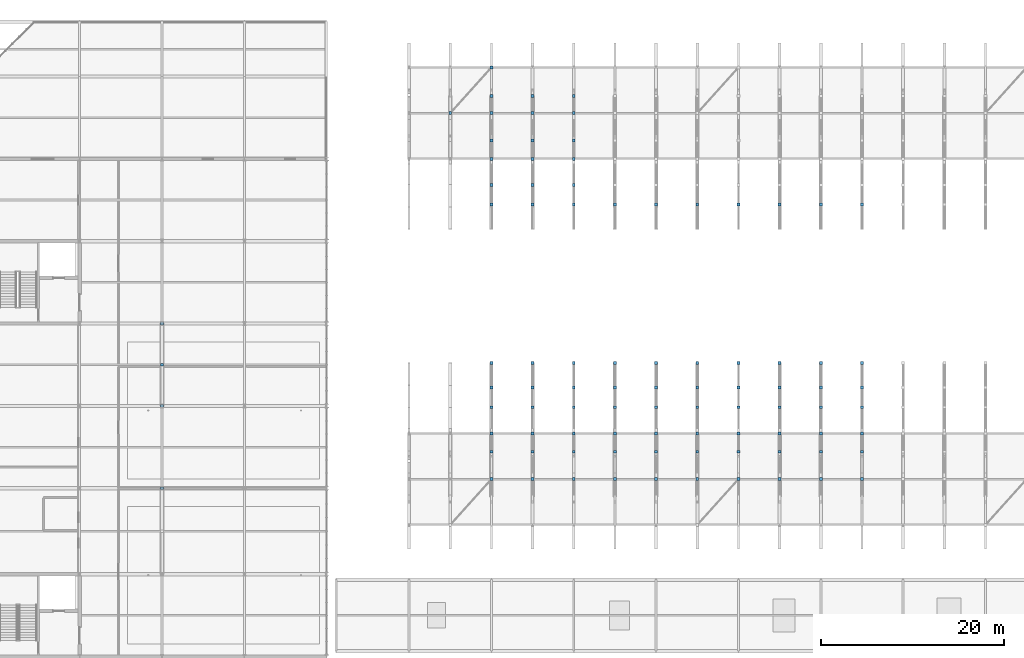
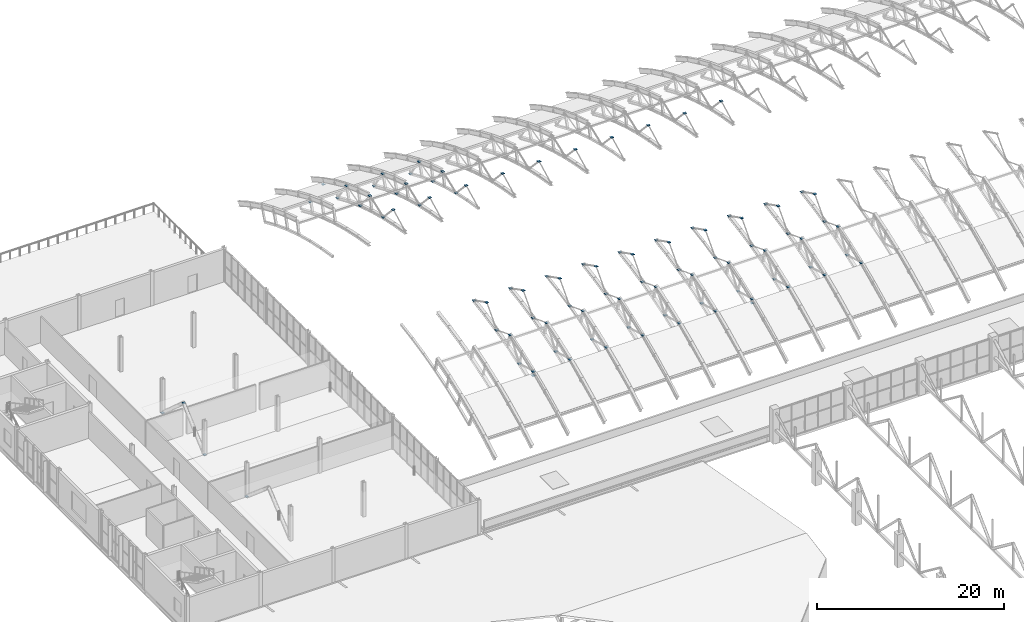
# One storey, part 96 of 103: 93 discrete accessories.
"""IFC4 building model written with IfcOpenShell, lengths in metres."""

import ifcopenshell
import ifcopenshell.guid

model = None  # the IFC model being written
_history = None  # IfcOwnerHistory: only IFC2X3 demands one
_inside = {}  # id of a spatial element -> (the spatial element, [elements in it])
_under = {}  # id of a project, library or spatial element -> (it, [spatial elements below it])
_declared = {}  # id of a project -> (the project, [libraries it declares])
_typed = {}  # id of a type object -> (the type object, [elements of that type])
_made_of = {}  # id of a material, layer set ... -> (it, [elements and type objects made of it])


def new_model(schema):
    """Start an empty IFC model of exactly this schema.

    Asked for "IFC4X3", IfcOpenShell would pick the latest addendum, in which some entities
    have other attributes; the version numbers below select the first issue.
    IFC2X3 requires an IfcOwnerHistory on every rooted entity: one is made here for all.
    """
    global model, _history
    if schema == "IFC4X3":
        model = ifcopenshell.file(schema_version=(4, 3, 0, 0))
    else:
        model = ifcopenshell.file(schema=schema)
    _inside.clear()
    _under.clear()
    _declared.clear()
    _typed.clear()
    _made_of.clear()
    _history = None
    if model.schema == "IFC2X3":
        org = make("IfcOrganization", Name="unknown")
        user = make(
            "IfcPersonAndOrganization",
            ThePerson=make("IfcPerson", FamilyName="unknown"),
            TheOrganization=org,
        )
        app = make(
            "IfcApplication",
            ApplicationDeveloper=org,
            Version="unknown",
            ApplicationFullName="unknown",
            ApplicationIdentifier="unknown",
        )
        _history = make(
            "IfcOwnerHistory",
            OwningUser=user,
            OwningApplication=app,
            ChangeAction="ADDED",
            CreationDate=0,
        )
    return model


def make(cls, **values):
    """One entity of the class cls with the attributes given. An attribute that is None is left unset."""
    return model.create_entity(
        cls, **{name: value for name, value in values.items() if value is not None}
    )


def rooted(cls, **values):
    """An entity with a GlobalId (a new one), such as an element, a storey or a relation."""
    return make(cls, GlobalId=ifcopenshell.guid.new(), OwnerHistory=_history, **values)


def si_unit(unit_type, name, prefix=None):
    """IfcSIUnit, for example si_unit("LENGTHUNIT", "METRE", prefix="MILLI")."""
    return make("IfcSIUnit", UnitType=unit_type, Prefix=prefix, Name=name)


def assignment(units):
    """IfcUnitAssignment: the units of a project."""
    return None if units is None else make("IfcUnitAssignment", Units=units)


def point(xyz):
    """IfcCartesianPoint."""
    return None if xyz is None else make("IfcCartesianPoint", Coordinates=xyz)


def direction(xyz):
    """IfcDirection."""
    return None if xyz is None else make("IfcDirection", DirectionRatios=xyz)


def frame(location, z_axis=None, x_axis=None):
    """IfcAxis2Placement3D, a coordinate frame: its origin and axes. An axis left out is left unset."""
    return make(
        "IfcAxis2Placement3D",
        Location=point(location),
        Axis=direction(z_axis),
        RefDirection=direction(x_axis),
    )


def frame_2d(location, x_axis=None):
    """IfcAxis2Placement2D, a coordinate frame in the plane: its origin and x axis."""
    return make(
        "IfcAxis2Placement2D", Location=point(location), RefDirection=direction(x_axis)
    )


def origin():
    """The frame at (0, 0, 0) with its axes left unset."""
    return frame((0.0, 0.0, 0.0))


def origin_2d():
    """The frame at (0, 0) in the plane with its x axis left unset."""
    return frame_2d((0.0, 0.0))


def place(relative_to, where):
    """IfcLocalPlacement: puts the frame where relative to a parent placement (None: the world)."""
    return make(
        "IfcLocalPlacement", PlacementRelTo=relative_to, RelativePlacement=where
    )


def context(
    kind, dimensions, precision=None, world=None, true_north=None, identifier=None
):
    """IfcGeometricRepresentationContext, for example the 3D "Model" context."""
    return make(
        "IfcGeometricRepresentationContext",
        ContextIdentifier=identifier,
        ContextType=kind,
        CoordinateSpaceDimension=dimensions,
        Precision=precision,
        WorldCoordinateSystem=world,
        TrueNorth=true_north,
    )


def subcontext(parent, identifier, kind, view, scale=None):
    """IfcGeometricRepresentationSubContext, for example "Body" below "Model"."""
    return make(
        "IfcGeometricRepresentationSubContext",
        ContextIdentifier=identifier,
        ContextType=kind,
        ParentContext=parent,
        TargetScale=scale,
        TargetView=view,
    )


def project(units=None, contexts=None):
    """IfcProject with its units and contexts."""
    return rooted(
        "IfcProject",
        Name="project",
        RepresentationContexts=contexts,
        UnitsInContext=assignment(units),
    )


def spatial(cls, under=None, at=None, **own):
    """A site, building, storey or space (cls), placed at a placement, below another one or the project."""
    s = rooted(cls, ObjectPlacement=at, **own)
    if under is not None:
        _under.setdefault(under.id(), (under, []))[1].append(s)
    return s


def profile(cls, at=None, kind="AREA", **sizes):
    """A parametric profile (cls). Its sizes go by their IFC names, for example OverallWidth=200.0."""
    return make(cls, ProfileType=kind, Position=at, **sizes)


def rectangle(**sizes):
    """IfcRectangleProfileDef."""
    return profile("IfcRectangleProfileDef", **sizes)


def extrude(swept, where, along, depth):
    """IfcExtrudedAreaSolid: the profile swept, set in the frame where, extruded along a direction by depth."""
    return make(
        "IfcExtrudedAreaSolid",
        SweptArea=swept,
        Position=where,
        ExtrudedDirection=direction(along),
        Depth=depth,
    )


def shape(context_of_items, identifier, shape_type, items):
    """IfcShapeRepresentation: the items that make up one representation, for example the "Body"."""
    return make(
        "IfcShapeRepresentation",
        ContextOfItems=context_of_items,
        RepresentationIdentifier=identifier,
        RepresentationType=shape_type,
        Items=items,
    )


def material(Name=None, Category=None):
    """IfcMaterial."""
    return make("IfcMaterial", Name=Name, Category=Category)


def made_of(thing, what):
    """Note that an element or type object is made of a material, layer set ...; save() writes the relation."""
    if what is not None:
        _made_of.setdefault(what.id(), (what, []))[1].append(thing)
    return thing


def type_object(cls, material=None, **own):
    """A type object (cls), such as IfcWallType, which elements share."""
    return made_of(rooted(cls, **own), material)


def element(
    cls,
    number,
    at=None,
    inside=None,
    cuts=None,
    type_object=None,
    material=None,
    context=None,
    identifier="Body",
    shape_type=None,
    held_by="IfcProductDefinitionShape",
    body=None,
    shapes=None,
    **own,
):
    """One element of the class cls, such as IfcWall. Its Tag is "e" and its number.

    at: its placement. inside: the storey or other place that contains it. cuts: it is an
    opening in that element (IfcRelVoidsElement). A single representation is given by context,
    identifier, shape_type and body (its items); several are given by shapes. held_by: the class
    of the entity that holds the representations. save() writes the other relations.
    """
    e = rooted(cls, Tag="e%d" % number, ObjectPlacement=at, **own)
    if body is not None:
        shapes = [shape(context, identifier, shape_type, body)]
    if shapes is not None:
        e.Representation = make(held_by, Representations=shapes)
    if inside is not None:
        _inside.setdefault(inside.id(), (inside, []))[1].append(e)
    if cuts is not None:
        rooted(
            "IfcRelVoidsElement", RelatingBuildingElement=cuts, RelatedOpeningElement=e
        )
    if type_object is not None:
        _typed.setdefault(type_object.id(), (type_object, []))[1].append(e)
    return made_of(e, material)


def aggregate(whole, parts):
    """IfcRelAggregates: a whole, such as a stair, and the parts it consists of."""
    return rooted("IfcRelAggregates", RelatingObject=whole, RelatedObjects=parts)


def save(model, path):
    """Write the relations noted so far, then the file.

    IfcRelAggregates (storeys below a building ...), IfcRelContainedInSpatialStructure (elements
    in a storey), IfcRelDefinesByType, IfcRelAssociatesMaterial and IfcRelDeclares: one each for
    every whole, place, type object, material and project.
    """
    for whole, parts in _under.values():
        aggregate(whole, parts)
    for where, things in _inside.values():
        rooted(
            "IfcRelContainedInSpatialStructure",
            RelatedElements=things,
            RelatingStructure=where,
        )
    for kind, things in _typed.values():
        rooted("IfcRelDefinesByType", RelatedObjects=things, RelatingType=kind)
    for what, things in _made_of.values():
        rooted("IfcRelAssociatesMaterial", RelatedObjects=things, RelatingMaterial=what)
    for by, libraries in _declared.values():
        rooted("IfcRelDeclares", RelatingContext=by, RelatedDefinitions=libraries)
    model.write(path)


model = new_model("IFC4")

# Units and contexts
model_context = context("Model", 3, precision=1e-05, world=origin(), true_north=direction((0.0, 1.0)))
body_context = subcontext(model_context, "Body", "Model", "MODEL_VIEW")
ifc_project = project(units=[si_unit("LENGTHUNIT", "METRE"), si_unit("AREAUNIT", "SQUARE_METRE"), si_unit("VOLUMEUNIT", "CUBIC_METRE"), si_unit("PLANEANGLEUNIT", "RADIAN"), si_unit("MASSUNIT", "GRAM", prefix="KILO")], contexts=[model_context])

# Site, building, storey
site_placement = place(None, origin())
site = spatial("IfcSite", under=ifc_project, at=site_placement, CompositionType="ELEMENT")
building_placement = place(site_placement, origin())
building = spatial("IfcBuilding", under=site, at=building_placement, Name="Cazmaro Siding Exhibition Halls", CompositionType="ELEMENT")
storey_placement = place(building_placement, frame((0.0, 0.0, 16.5)))
storey = spatial("IfcBuildingStorey", under=building, at=storey_placement, Name="L03", CompositionType="ELEMENT", Elevation=16.5)

# Discrete accessories
ifc_material = material(Name="Steel ASTM A572 Grade 50", Category="steel")
discrete_accessory_type = type_object("IfcDiscreteAccessoryType", Name="GP-CONN-01", PredefinedType="BRACKET", material=ifc_material)
for number, where, z_axis, x_axis, name in (
    (1, (18.0, 73.0, -0.01513671875), (0.0, 0.0, 1.0), (1.0, 0.0, 0.0), "Welded Steel Brace Node Gusset Connection GP-01 0035"),
    (2, (18.0, 82.0, -0.01513671875), (0.0, 0.0, 1.0), (1.0, 0.0, 0.0), "Welded Steel Brace Node Gusset Connection GP-01 0039"),
    (3, (18.0, 86.5, 3.9970703125), (0.0, 0.0, 1.0), (1.0, 0.0, 0.0), "Welded Steel Brace Node Gusset Connection GP-01 0043"),
    (4, (18.0, 91.0, -0.01513671875), (0.0, 0.0, 1.0), (1.0, 0.0, 0.0), "Welded Steel Brace Node Gusset Connection GP-01 0047"),
    (5, (49.5, 114.0, 2.56689453125), (0.0, 0.0, 1.0), (1.0, 0.0, 0.0), "Welded Steel Brace Node Gusset Connection GP-01 0080"),
    (6, (54.0, 74.0, 2.56689453125), (0.0, 0.0, 1.0), (1.0, 0.0, 0.0), "Welded Steel Brace Node Gusset Connection GP-01 0094"),
    (7, (54.0, 74.0, 3.10693359375), (0.0, 0.0, 1.0), (1.0, 0.0, 0.0), "Welded Steel Brace Node Gusset Connection GP-01 0095"),
    (8, (54.0, 76.990966796875, 2.3251953125), (0.0, 0.0, 1.0), (1.0, 0.0, 0.0), "Welded Steel Brace Node Gusset Connection GP-01 0096"),
    (9, (54.0, 79.0, 4.83984375), (0.0, 0.0, 1.0), (1.0, 0.0, 0.0), "Welded Steel Brace Node Gusset Connection GP-01 0097"),
    (10, (54.0, 81.85009765625, 3.74609375), (0.0, 0.0, 1.0), (1.0, 0.0, 0.0), "Welded Steel Brace Node Gusset Connection GP-01 0098"),
    (11, (54.0, 84.0, 6.0419921875), (0.0, 0.0, 1.0), (1.0, 0.0, 0.0), "Welded Steel Brace Node Gusset Connection GP-01 0099"),
    (12, (54.0, 86.7099609375, 4.671875), (0.0, 0.0, 1.0), (1.0, 0.0, 0.0), "Welded Steel Brace Node Gusset Connection GP-01 0100"),
    (13, (54.0, 104.0, 6.0419921875), (0.0, 0.0, 1.0), (1.0, 0.0, 0.0), "Welded Steel Brace Node Gusset Connection GP-01 0107"),
    (14, (54.0, 106.14990234375, 3.74609375), (0.0, 0.0, 1.0), (1.0, 0.0, 0.0), "Welded Steel Brace Node Gusset Connection GP-01 0108"),
    (15, (54.0, 109.0, 4.83984375), (0.0, 0.0, 1.0), (1.0, 0.0, 0.0), "Welded Steel Brace Node Gusset Connection GP-01 0109"),
    (16, (54.0, 111.009033203125, 2.3251953125), (0.0, 0.0, 1.0), (1.0, 0.0, 0.0), "Welded Steel Brace Node Gusset Connection GP-01 0110"),
    (17, (54.0, 114.0, 3.10693359375), (0.0, 0.0, 1.0), (1.0, 0.0, 0.0), "Welded Steel Brace Node Gusset Connection GP-01 0111"),
    (18, (54.0, 115.868896484375, 0.36376953125), (0.0, 0.0, 1.0), (1.0, 0.0, 0.0), "Welded Steel Brace Node Gusset Connection GP-01 0112"),
    (19, (54.0, 119.0, 0.24609375), (0.0, 0.0, 1.0), (1.0, 0.0, 0.0), "Welded Steel Brace Node Gusset Connection GP-01 0113"),
    (20, (58.5, 74.0, 3.10693359375), (0.0, 0.0, 1.0), (1.0, 0.0, 0.0), "Welded Steel Brace Node Gusset Connection GP-01 0119"),
    (21, (58.5, 76.990966796875, 2.3251953125), (0.0, 0.0, 1.0), (1.0, 0.0, 0.0), "Welded Steel Brace Node Gusset Connection GP-01 0120"),
    (22, (58.5, 79.0, 4.83984375), (0.0, 0.0, 1.0), (1.0, 0.0, 0.0), "Welded Steel Brace Node Gusset Connection GP-01 0121"),
    (23, (58.5, 81.85009765625, 3.74609375), (0.0, 0.0, 1.0), (1.0, 0.0, 0.0), "Welded Steel Brace Node Gusset Connection GP-01 0122"),
    (24, (58.5, 84.0, 6.0419921875), (0.0, 0.0, 1.0), (1.0, 0.0, 0.0), "Welded Steel Brace Node Gusset Connection GP-01 0123"),
    (25, (58.5, 86.7099609375, 4.671875), (0.0, 0.0, 1.0), (1.0, 0.0, 0.0), "Welded Steel Brace Node Gusset Connection GP-01 0124"),
    (26, (58.5, 104.0, 6.0419921875), (0.0, 0.0, 1.0), (1.0, 0.0, 0.0), "Welded Steel Brace Node Gusset Connection GP-01 0130"),
    (27, (58.5, 106.14990234375, 3.74609375), (0.0, 0.0, 1.0), (1.0, 0.0, 0.0), "Welded Steel Brace Node Gusset Connection GP-01 0131"),
    (28, (58.5, 109.0, 4.83984375), (0.0, 0.0, 1.0), (1.0, 0.0, 0.0), "Welded Steel Brace Node Gusset Connection GP-01 0132"),
    (29, (58.5, 111.009033203125, 2.3251953125), (0.0, 0.0, 1.0), (1.0, 0.0, 0.0), "Welded Steel Brace Node Gusset Connection GP-01 0133"),
    (30, (58.5, 114.0, 3.10693359375), (0.0, 0.0, 1.0), (1.0, 0.0, 0.0), "Welded Steel Brace Node Gusset Connection GP-01 0134"),
    (31, (58.5, 115.868896484375, 0.36376953125), (0.0, 0.0, 1.0), (1.0, 0.0, 0.0), "Welded Steel Brace Node Gusset Connection GP-01 0135"),
    (32, (63.0, 74.0, 3.10693359375), (0.0, 0.0, 1.0), (1.0, 0.0, 0.0), "Welded Steel Brace Node Gusset Connection GP-01 0141"),
    (33, (63.0, 76.990966796875, 2.3251953125), (0.0, 0.0, 1.0), (1.0, 0.0, 0.0), "Welded Steel Brace Node Gusset Connection GP-01 0142"),
    (34, (63.0, 79.0, 4.83984375), (0.0, 0.0, 1.0), (1.0, 0.0, 0.0), "Welded Steel Brace Node Gusset Connection GP-01 0143"),
    (35, (63.0, 81.85009765625, 3.74609375), (0.0, 0.0, 1.0), (1.0, 0.0, 0.0), "Welded Steel Brace Node Gusset Connection GP-01 0144"),
    (36, (63.0, 84.0, 6.0419921875), (0.0, 0.0, 1.0), (1.0, 0.0, 0.0), "Welded Steel Brace Node Gusset Connection GP-01 0145"),
    (37, (63.0, 86.7099609375, 4.671875), (0.0, 0.0, 1.0), (1.0, 0.0, 0.0), "Welded Steel Brace Node Gusset Connection GP-01 0146"),
    (38, (63.0, 104.0, 6.0419921875), (0.0, 0.0, 1.0), (1.0, 0.0, 0.0), "Welded Steel Brace Node Gusset Connection GP-01 0152"),
    (39, (63.0, 106.14990234375, 3.74609375), (0.0, 0.0, 1.0), (1.0, 0.0, 0.0), "Welded Steel Brace Node Gusset Connection GP-01 0153"),
    (40, (63.0, 109.0, 4.83984375), (0.0, 0.0, 1.0), (1.0, 0.0, 0.0), "Welded Steel Brace Node Gusset Connection GP-01 0154"),
    (41, (63.0, 111.009033203125, 2.3251953125), (0.0, 0.0, 1.0), (1.0, 0.0, 0.0), "Welded Steel Brace Node Gusset Connection GP-01 0155"),
    (42, (63.0, 114.0, 3.10693359375), (0.0, 0.0, 1.0), (1.0, 0.0, 0.0), "Welded Steel Brace Node Gusset Connection GP-01 0156"),
    (43, (63.0, 115.868896484375, 0.36376953125), (0.0, 0.0, 1.0), (1.0, 0.0, 0.0), "Welded Steel Brace Node Gusset Connection GP-01 0157"),
    (44, (67.5, 74.0, 3.10693359375), (0.0, 0.0, 1.0), (1.0, 0.0, 0.0), "Welded Steel Brace Node Gusset Connection GP-01 0163"),
    (45, (67.5, 76.990966796875, 2.3251953125), (0.0, 0.0, 1.0), (1.0, 0.0, 0.0), "Welded Steel Brace Node Gusset Connection GP-01 0164"),
    (46, (67.5, 79.0, 4.83984375), (0.0, 0.0, 1.0), (1.0, 0.0, 0.0), "Welded Steel Brace Node Gusset Connection GP-01 0165"),
    (47, (67.5, 81.85009765625, 3.74609375), (0.0, 0.0, 1.0), (1.0, 0.0, 0.0), "Welded Steel Brace Node Gusset Connection GP-01 0166"),
    (48, (67.5, 84.0, 6.0419921875), (0.0, 0.0, 1.0), (1.0, 0.0, 0.0), "Welded Steel Brace Node Gusset Connection GP-01 0167"),
    (49, (67.5, 86.7099609375, 4.671875), (0.0, 0.0, 1.0), (1.0, 0.0, 0.0), "Welded Steel Brace Node Gusset Connection GP-01 0168"),
    (50, (67.5, 104.0, 6.0419921875), (0.0, 0.0, 1.0), (1.0, 0.0, 0.0), "Welded Steel Brace Node Gusset Connection GP-01 0174"),
    (51, (72.0, 74.0, 3.10693359375), (0.0, 0.0, 1.0), (1.0, 0.0, 0.0), "Welded Steel Brace Node Gusset Connection GP-01 0196"),
    (52, (72.0, 76.990966796875, 2.3251953125), (0.0, 0.0, 1.0), (1.0, 0.0, 0.0), "Welded Steel Brace Node Gusset Connection GP-01 0197"),
    (53, (72.0, 79.0, 4.83984375), (0.0, 0.0, 1.0), (1.0, 0.0, 0.0), "Welded Steel Brace Node Gusset Connection GP-01 0198"),
    (54, (72.0, 81.85009765625, 3.74609375), (0.0, 0.0, 1.0), (1.0, 0.0, 0.0), "Welded Steel Brace Node Gusset Connection GP-01 0199"),
    (55, (72.0, 84.0, 6.0419921875), (0.0, 0.0, 1.0), (1.0, 0.0, 0.0), "Welded Steel Brace Node Gusset Connection GP-01 0200"),
    (56, (72.0, 86.7099609375, 4.671875), (0.0, 0.0, 1.0), (1.0, 0.0, 0.0), "Welded Steel Brace Node Gusset Connection GP-01 0201"),
    (57, (72.0, 104.0, 6.0419921875), (0.0, 0.0, 1.0), (1.0, 0.0, 0.0), "Welded Steel Brace Node Gusset Connection GP-01 0207"),
    (58, (76.5, 74.0, 3.10693359375), (0.0, 0.0, 1.0), (1.0, 0.0, 0.0), "Welded Steel Brace Node Gusset Connection GP-01 0220"),
    (59, (76.5, 76.990966796875, 2.3251953125), (0.0, 0.0, 1.0), (1.0, 0.0, 0.0), "Welded Steel Brace Node Gusset Connection GP-01 0221"),
    (60, (76.5, 79.0, 4.83984375), (0.0, 0.0, 1.0), (1.0, 0.0, 0.0), "Welded Steel Brace Node Gusset Connection GP-01 0222"),
    (61, (76.5, 81.85009765625, 3.74609375), (0.0, 0.0, 1.0), (1.0, 0.0, 0.0), "Welded Steel Brace Node Gusset Connection GP-01 0223"),
    (62, (76.5, 84.0, 6.0419921875), (0.0, 0.0, 1.0), (1.0, 0.0, 0.0), "Welded Steel Brace Node Gusset Connection GP-01 0224"),
    (63, (76.5, 86.7099609375, 4.671875), (0.0, 0.0, 1.0), (1.0, 0.0, 0.0), "Welded Steel Brace Node Gusset Connection GP-01 0225"),
    (64, (76.5, 104.0, 6.0419921875), (0.0, 0.0, 1.0), (1.0, 0.0, 0.0), "Welded Steel Brace Node Gusset Connection GP-01 0233"),
    (65, (81.0, 74.0, 2.56689453125), (0.0, 0.0, 1.0), (1.0, 0.0, 0.0), "Welded Steel Brace Node Gusset Connection GP-01 0257"),
    (66, (81.0, 74.0, 3.10693359375), (0.0, 0.0, 1.0), (1.0, 0.0, 0.0), "Welded Steel Brace Node Gusset Connection GP-01 0258"),
    (67, (81.0, 76.990966796875, 2.3251953125), (0.0, 0.0, 1.0), (1.0, 0.0, 0.0), "Welded Steel Brace Node Gusset Connection GP-01 0259"),
    (68, (81.0, 79.0, 4.83984375), (0.0, 0.0, 1.0), (1.0, 0.0, 0.0), "Welded Steel Brace Node Gusset Connection GP-01 0260"),
    (69, (81.0, 81.85009765625, 3.74609375), (0.0, 0.0, 1.0), (1.0, 0.0, 0.0), "Welded Steel Brace Node Gusset Connection GP-01 0261"),
    (70, (81.0, 84.0, 6.0419921875), (0.0, 0.0, 1.0), (1.0, 0.0, 0.0), "Welded Steel Brace Node Gusset Connection GP-01 0262"),
    (71, (81.0, 86.7099609375, 4.671875), (0.0, 0.0, 1.0), (1.0, 0.0, 0.0), "Welded Steel Brace Node Gusset Connection GP-01 0263"),
    (72, (81.0, 104.0, 6.0419921875), (0.0, 0.0, 1.0), (1.0, 0.0, 0.0), "Welded Steel Brace Node Gusset Connection GP-01 0270"),
    (73, (85.5, 74.0, 3.10693359375), (0.0, 0.0, 1.0), (1.0, 0.0, 0.0), "Welded Steel Brace Node Gusset Connection GP-01 0282"),
    (74, (85.5, 76.990966796875, 2.3251953125), (0.0, 0.0, 1.0), (1.0, 0.0, 0.0), "Welded Steel Brace Node Gusset Connection GP-01 0283"),
    (75, (85.5, 79.0, 4.83984375), (0.0, 0.0, 1.0), (1.0, 0.0, 0.0), "Welded Steel Brace Node Gusset Connection GP-01 0284"),
    (76, (85.5, 81.85009765625, 3.74609375), (0.0, 0.0, 1.0), (1.0, 0.0, 0.0), "Welded Steel Brace Node Gusset Connection GP-01 0285"),
    (77, (85.5, 84.0, 6.0419921875), (0.0, 0.0, 1.0), (1.0, 0.0, 0.0), "Welded Steel Brace Node Gusset Connection GP-01 0286"),
    (78, (85.5, 86.7099609375, 4.671875), (0.0, 0.0, 1.0), (1.0, 0.0, 0.0), "Welded Steel Brace Node Gusset Connection GP-01 0287"),
    (79, (85.5, 104.0, 6.0419921875), (0.0, 0.0, 1.0), (1.0, 0.0, 0.0), "Welded Steel Brace Node Gusset Connection GP-01 0293"),
    (80, (90.0, 74.0, 3.10693359375), (0.0, 0.0, 1.0), (1.0, 0.0, 0.0), "Welded Steel Brace Node Gusset Connection GP-01 0315"),
    (81, (90.0, 76.990966796875, 2.3251953125), (0.0, 0.0, 1.0), (1.0, 0.0, 0.0), "Welded Steel Brace Node Gusset Connection GP-01 0316"),
    (82, (90.0, 79.0, 4.83984375), (0.0, 0.0, 1.0), (1.0, 0.0, 0.0), "Welded Steel Brace Node Gusset Connection GP-01 0317"),
    (83, (90.0, 81.85009765625, 3.74609375), (0.0, 0.0, 1.0), (1.0, 0.0, 0.0), "Welded Steel Brace Node Gusset Connection GP-01 0318"),
    (84, (90.0, 84.0, 6.0419921875), (0.0, 0.0, 1.0), (1.0, 0.0, 0.0), "Welded Steel Brace Node Gusset Connection GP-01 0319"),
    (85, (90.0, 86.7099609375, 4.671875), (0.0, 0.0, 1.0), (1.0, 0.0, 0.0), "Welded Steel Brace Node Gusset Connection GP-01 0320"),
    (86, (90.0, 104.0, 6.0419921875), (0.0, 0.0, 1.0), (1.0, 0.0, 0.0), "Welded Steel Brace Node Gusset Connection GP-01 0326"),
    (87, (94.5, 74.0, 3.10693359375), (0.0, 0.0, 1.0), (1.0, 0.0, 0.0), "Welded Steel Brace Node Gusset Connection GP-01 0337"),
    (88, (94.5, 76.990966796875, 2.3251953125), (0.0, 0.0, 1.0), (1.0, 0.0, 0.0), "Welded Steel Brace Node Gusset Connection GP-01 0338"),
    (89, (94.5, 79.0, 4.83984375), (0.0, 0.0, 1.0), (1.0, 0.0, 0.0), "Welded Steel Brace Node Gusset Connection GP-01 0339"),
    (90, (94.5, 81.85009765625, 3.74609375), (0.0, 0.0, 1.0), (1.0, 0.0, 0.0), "Welded Steel Brace Node Gusset Connection GP-01 0340"),
    (91, (94.5, 84.0, 6.0419921875), (0.0, 0.0, 1.0), (1.0, 0.0, 0.0), "Welded Steel Brace Node Gusset Connection GP-01 0341"),
    (92, (94.5, 86.7099609375, 4.671875), (0.0, 0.0, 1.0), (1.0, 0.0, 0.0), "Welded Steel Brace Node Gusset Connection GP-01 0342"),
    (93, (94.5, 104.0, 6.0419921875), (0.0, 0.0, 1.0), (1.0, 0.0, 0.0), "Welded Steel Brace Node Gusset Connection GP-01 0348"),
):
    element("IfcDiscreteAccessory", number, at=place(storey_placement, frame(where, z_axis=z_axis, x_axis=x_axis)), inside=storey, type_object=discrete_accessory_type, Name=name, PredefinedType="BRACKET", context=body_context, shape_type="SweptSolid", body=[
        extrude(rectangle(XDim=0.320068359375, YDim=0.320068359375, at=origin_2d()), origin(), (0.0, 0.0, 1.0), 0.030029296875),
    ])

save(model, "model.ifc")
